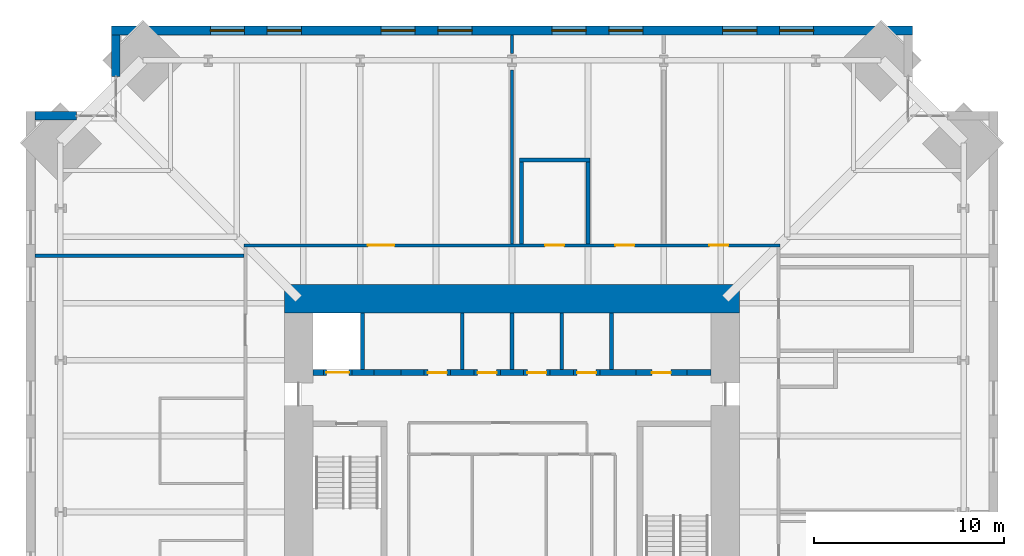
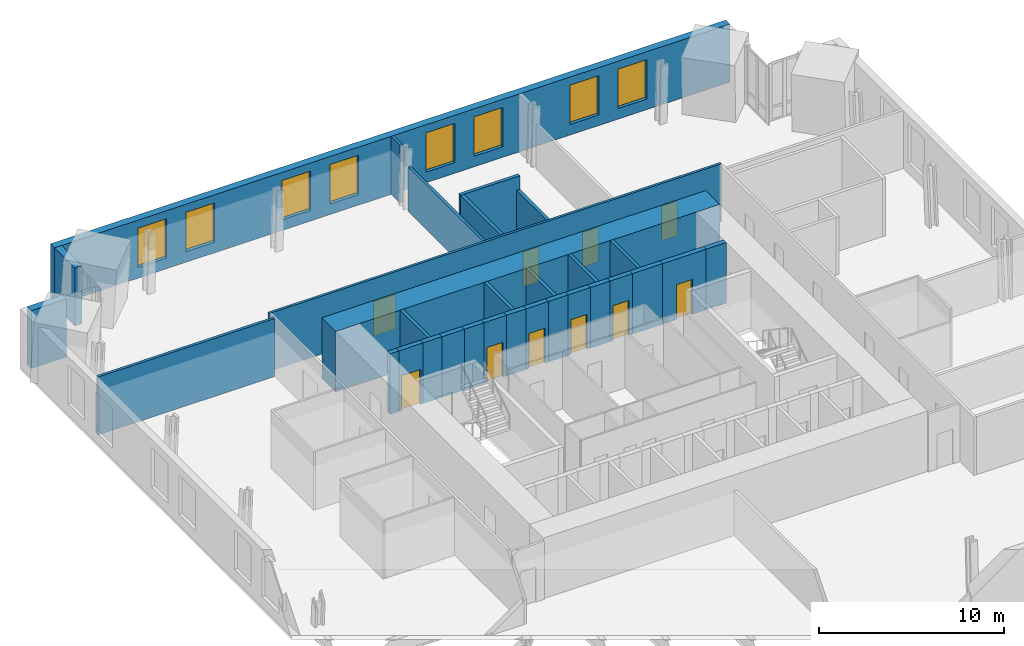
# One storey, part 16 of 18: 31 walls, 10 doors, 8 windows, 18 openings.
"""IFC4 building model written with IfcOpenShell, lengths in metres."""

from ifc_helpers import new_model, si_unit, direction, frame, frame_2d, origin, place, context, subcontext, project, spatial, rectangle, extrude, material, layer, layer_set, type_object, element, fill, save


model = new_model("IFC4")

# Units and contexts
model_context = context("Model", 3, precision=1e-05, world=origin(), true_north=direction((0.0, 1.0)))
body_context = subcontext(model_context, "Body", "Model", "MODEL_VIEW")
ifc_project = project(units=[si_unit("LENGTHUNIT", "METRE"), si_unit("AREAUNIT", "SQUARE_METRE"), si_unit("VOLUMEUNIT", "CUBIC_METRE"), si_unit("PLANEANGLEUNIT", "RADIAN"), si_unit("MASSUNIT", "GRAM", prefix="KILO")], contexts=[model_context])

# Site, building, storey
site_placement = place(None, origin())
site = spatial("IfcSite", under=ifc_project, at=site_placement, CompositionType="ELEMENT")
building_placement = place(site_placement, origin())
building = spatial("IfcBuilding", under=site, at=building_placement, Name="Peilmerk Tower", CompositionType="ELEMENT")
storey_placement = place(building_placement, frame((0.0, 0.0, 175.800048828125)))
storey = spatial("IfcBuildingStorey", under=building, at=storey_placement, Name="L37", CompositionType="ELEMENT", Elevation=175.800048828125)

# Wall, openings, windows
ifc_material_1 = material(Name="Precast concrete C45/55, board-marked finish", Category="concrete")
ifc_layer_1 = layer(ifc_material_1, 0.449951171875)
ifc_layer_set_1 = layer_set([ifc_layer_1], Name="Precast concrete C45/55, board-marked finish")
wall_type_1 = type_object("IfcWallType", Name="EW1 450 precast concrete facade wall, board-marked", PredefinedType="SOLIDWALL", material=ifc_layer_set_1)
wall_1_placement = place(storey_placement, frame((21.10009765625, 25.375, 0.0), z_axis=(0.0, 0.0, 1.0), x_axis=(-1.0, 0.0, 0.0)))
wall_1 = element("IfcWall", 1, at=wall_1_placement, inside=storey, type_object=wall_type_1, Name="Facade wall N L37", PredefinedType="SOLIDWALL", context=body_context, shape_type="SweptSolid", body=[
    extrude(rectangle(XDim=42.2001953125, YDim=0.449951171875, at=frame_2d((21.10009765625, 0.0))), origin(), (0.0, 0.0, 1.0), 3.829833984375),
])
opening_1_placement = place(wall_1_placement, frame((5.199951171875, 0.0, 0.699951171875)))
opening_1 = element("IfcOpeningElement", 2, at=opening_1_placement, cuts=wall_1, Name="Opening W1", PredefinedType="OPENING", context=body_context, shape_type="SweptSolid", body=[
    extrude(rectangle(XDim=1.800048828125, YDim=2.60009765625, at=frame_2d((0.89990234375, 1.300048828125))), frame((0.0, 0.23486328125, 0.0), z_axis=(0.0, -1.0, 0.0), x_axis=(1.0, 0.0, 0.0)), (0.0, 0.0, 1.0), 0.469970703125),
])
opening_2_placement = place(wall_1_placement, frame((8.199951171875, 0.0, 0.699951171875)))
opening_2 = element("IfcOpeningElement", 3, at=opening_2_placement, cuts=wall_1, Name="Opening W1", PredefinedType="OPENING", context=body_context, shape_type="SweptSolid", body=[
    extrude(rectangle(XDim=1.800048828125, YDim=2.60009765625, at=frame_2d((0.89990234375, 1.300048828125))), frame((0.0, 0.23486328125, 0.0), z_axis=(0.0, -1.0, 0.0), x_axis=(1.0, 0.0, 0.0)), (0.0, 0.0, 1.0), 0.469970703125),
])
opening_3_placement = place(wall_1_placement, frame((14.199951171875, 0.0, 0.699951171875)))
opening_3 = element("IfcOpeningElement", 4, at=opening_3_placement, cuts=wall_1, Name="Opening W1", PredefinedType="OPENING", context=body_context, shape_type="SweptSolid", body=[
    extrude(rectangle(XDim=1.800048828125, YDim=2.60009765625, at=frame_2d((0.89990234375, 1.300048828125))), frame((0.0, 0.23486328125, 0.0), z_axis=(0.0, -1.0, 0.0), x_axis=(1.0, 0.0, 0.0)), (0.0, 0.0, 1.0), 0.469970703125),
])
opening_4_placement = place(wall_1_placement, frame((17.199951171875, 0.0, 0.699951171875)))
opening_4 = element("IfcOpeningElement", 5, at=opening_4_placement, cuts=wall_1, Name="Opening W1", PredefinedType="OPENING", context=body_context, shape_type="SweptSolid", body=[
    extrude(rectangle(XDim=1.800048828125, YDim=2.60009765625, at=frame_2d((0.89990234375, 1.300048828125))), frame((0.0, 0.23486328125, 0.0), z_axis=(0.0, -1.0, 0.0), x_axis=(1.0, 0.0, 0.0)), (0.0, 0.0, 1.0), 0.469970703125),
])
opening_5_placement = place(wall_1_placement, frame((23.199951171875, 0.0, 0.699951171875)))
opening_5 = element("IfcOpeningElement", 6, at=opening_5_placement, cuts=wall_1, Name="Opening W1", PredefinedType="OPENING", context=body_context, shape_type="SweptSolid", body=[
    extrude(rectangle(XDim=1.800048828125, YDim=2.60009765625, at=frame_2d((0.89990234375, 1.300048828125))), frame((0.0, 0.23486328125, 0.0), z_axis=(0.0, -1.0, 0.0), x_axis=(1.0, 0.0, 0.0)), (0.0, 0.0, 1.0), 0.469970703125),
])
opening_6_placement = place(wall_1_placement, frame((26.199951171875, 0.0, 0.699951171875)))
opening_6 = element("IfcOpeningElement", 7, at=opening_6_placement, cuts=wall_1, Name="Opening W1", PredefinedType="OPENING", context=body_context, shape_type="SweptSolid", body=[
    extrude(rectangle(XDim=1.800048828125, YDim=2.60009765625, at=frame_2d((0.89990234375, 1.300048828125))), frame((0.0, 0.23486328125, 0.0), z_axis=(0.0, -1.0, 0.0), x_axis=(1.0, 0.0, 0.0)), (0.0, 0.0, 1.0), 0.469970703125),
])
opening_7_placement = place(wall_1_placement, frame((32.199951171875, 0.0, 0.699951171875)))
opening_7 = element("IfcOpeningElement", 8, at=opening_7_placement, cuts=wall_1, Name="Opening W1", PredefinedType="OPENING", context=body_context, shape_type="SweptSolid", body=[
    extrude(rectangle(XDim=1.800048828125, YDim=2.60009765625, at=frame_2d((0.89990234375, 1.300048828125))), frame((0.0, 0.23486328125, 0.0), z_axis=(0.0, -1.0, 0.0), x_axis=(1.0, 0.0, 0.0)), (0.0, 0.0, 1.0), 0.469970703125),
])
opening_8_placement = place(wall_1_placement, frame((35.199951171875, 0.0, 0.699951171875)))
opening_8 = element("IfcOpeningElement", 9, at=opening_8_placement, cuts=wall_1, Name="Opening W1", PredefinedType="OPENING", context=body_context, shape_type="SweptSolid", body=[
    extrude(rectangle(XDim=1.800048828125, YDim=2.60009765625, at=frame_2d((0.89990234375, 1.300048828125))), frame((0.0, 0.23486328125, 0.0), z_axis=(0.0, -1.0, 0.0), x_axis=(1.0, 0.0, 0.0)), (0.0, 0.0, 1.0), 0.469970703125),
])
ifc_material_2 = material(Name="Aluminium frame, clear double glazing", Category="aluminium")
window_type = type_object("IfcWindowType", Name="W1 1800x2600 office window", PartitioningType="SINGLE_PANEL", PredefinedType="WINDOW", material=ifc_material_2)
window_1_placement = place(opening_1_placement, origin())
window_1 = element("IfcWindow", 10, at=window_1_placement, inside=storey, type_object=window_type, Name="Window W1 L37", OverallHeight=2.60009765625, OverallWidth=1.800048828125, PartitioningType="SINGLE_PANEL", PredefinedType="WINDOW", context=body_context, shape_type="SweptSolid", body=[
    extrude(rectangle(XDim=1.800048828125, YDim=2.60009765625, at=frame_2d((0.89990234375, 1.300048828125))), frame((0.0, 0.030029296875, 0.0), z_axis=(0.0, -1.0, 0.0), x_axis=(1.0, 0.0, 0.0)), (0.0, 0.0, 1.0), 0.06005859375),
])
fill(opening_1, window_1)
window_2_placement = place(opening_2_placement, origin())
window_2 = element("IfcWindow", 11, at=window_2_placement, inside=storey, type_object=window_type, Name="Window W1 L37", OverallHeight=2.60009765625, OverallWidth=1.800048828125, PartitioningType="SINGLE_PANEL", PredefinedType="WINDOW", context=body_context, shape_type="SweptSolid", body=[
    extrude(rectangle(XDim=1.800048828125, YDim=2.60009765625, at=frame_2d((0.89990234375, 1.300048828125))), frame((0.0, 0.030029296875, 0.0), z_axis=(0.0, -1.0, 0.0), x_axis=(1.0, 0.0, 0.0)), (0.0, 0.0, 1.0), 0.06005859375),
])
fill(opening_2, window_2)
window_3_placement = place(opening_3_placement, origin())
window_3 = element("IfcWindow", 12, at=window_3_placement, inside=storey, type_object=window_type, Name="Window W1 L37", OverallHeight=2.60009765625, OverallWidth=1.800048828125, PartitioningType="SINGLE_PANEL", PredefinedType="WINDOW", context=body_context, shape_type="SweptSolid", body=[
    extrude(rectangle(XDim=1.800048828125, YDim=2.60009765625, at=frame_2d((0.89990234375, 1.300048828125))), frame((0.0, 0.030029296875, 0.0), z_axis=(0.0, -1.0, 0.0), x_axis=(1.0, 0.0, 0.0)), (0.0, 0.0, 1.0), 0.06005859375),
])
fill(opening_3, window_3)
window_4_placement = place(opening_4_placement, origin())
window_4 = element("IfcWindow", 13, at=window_4_placement, inside=storey, type_object=window_type, Name="Window W1 L37", OverallHeight=2.60009765625, OverallWidth=1.800048828125, PartitioningType="SINGLE_PANEL", PredefinedType="WINDOW", context=body_context, shape_type="SweptSolid", body=[
    extrude(rectangle(XDim=1.800048828125, YDim=2.60009765625, at=frame_2d((0.89990234375, 1.300048828125))), frame((0.0, 0.030029296875, 0.0), z_axis=(0.0, -1.0, 0.0), x_axis=(1.0, 0.0, 0.0)), (0.0, 0.0, 1.0), 0.06005859375),
])
fill(opening_4, window_4)
window_5_placement = place(opening_5_placement, origin())
window_5 = element("IfcWindow", 14, at=window_5_placement, inside=storey, type_object=window_type, Name="Window W1 L37", OverallHeight=2.60009765625, OverallWidth=1.800048828125, PartitioningType="SINGLE_PANEL", PredefinedType="WINDOW", context=body_context, shape_type="SweptSolid", body=[
    extrude(rectangle(XDim=1.800048828125, YDim=2.60009765625, at=frame_2d((0.89990234375, 1.300048828125))), frame((0.0, 0.030029296875, 0.0), z_axis=(0.0, -1.0, 0.0), x_axis=(1.0, 0.0, 0.0)), (0.0, 0.0, 1.0), 0.06005859375),
])
fill(opening_5, window_5)
window_6_placement = place(opening_6_placement, origin())
window_6 = element("IfcWindow", 15, at=window_6_placement, inside=storey, type_object=window_type, Name="Window W1 L37", OverallHeight=2.60009765625, OverallWidth=1.800048828125, PartitioningType="SINGLE_PANEL", PredefinedType="WINDOW", context=body_context, shape_type="SweptSolid", body=[
    extrude(rectangle(XDim=1.800048828125, YDim=2.60009765625, at=frame_2d((0.89990234375, 1.300048828125))), frame((0.0, 0.030029296875, 0.0), z_axis=(0.0, -1.0, 0.0), x_axis=(1.0, 0.0, 0.0)), (0.0, 0.0, 1.0), 0.06005859375),
])
fill(opening_6, window_6)
window_7_placement = place(opening_7_placement, origin())
window_7 = element("IfcWindow", 16, at=window_7_placement, inside=storey, type_object=window_type, Name="Window W1 L37", OverallHeight=2.60009765625, OverallWidth=1.800048828125, PartitioningType="SINGLE_PANEL", PredefinedType="WINDOW", context=body_context, shape_type="SweptSolid", body=[
    extrude(rectangle(XDim=1.800048828125, YDim=2.60009765625, at=frame_2d((0.89990234375, 1.300048828125))), frame((0.0, 0.030029296875, 0.0), z_axis=(0.0, -1.0, 0.0), x_axis=(1.0, 0.0, 0.0)), (0.0, 0.0, 1.0), 0.06005859375),
])
fill(opening_7, window_7)
window_8_placement = place(opening_8_placement, origin())
window_8 = element("IfcWindow", 17, at=window_8_placement, inside=storey, type_object=window_type, Name="Window W1 L37", OverallHeight=2.60009765625, OverallWidth=1.800048828125, PartitioningType="SINGLE_PANEL", PredefinedType="WINDOW", context=body_context, shape_type="SweptSolid", body=[
    extrude(rectangle(XDim=1.800048828125, YDim=2.60009765625, at=frame_2d((0.89990234375, 1.300048828125))), frame((0.0, 0.030029296875, 0.0), z_axis=(0.0, -1.0, 0.0), x_axis=(1.0, 0.0, 0.0)), (0.0, 0.0, 1.0), 0.06005859375),
])
fill(opening_8, window_8)

# Walls
for number, where, z_axis, x_axis, name in (
    (18, (-20.875, 22.95361328125, 0.0), (0.0, 0.0, 1.0), (0.0, 1.0, 0.0), "Facade wall NWA L37"),
    (19, (-22.95361328125, 20.875, 0.0), (0.0, 0.0, 1.0), (-1.0, 0.0, 0.0), "Facade wall NWB L37"),
):
    element("IfcWall", number, at=place(storey_placement, frame(where, z_axis=z_axis, x_axis=x_axis)), inside=storey, type_object=wall_type_1, Name=name, PredefinedType="SOLIDWALL", context=body_context, shape_type="SweptSolid", body=[
        extrude(rectangle(XDim=2.1962890625, YDim=0.449951171875, at=frame_2d((1.09814453125, 0.0))), origin(), (0.0, 0.0, 1.0), 3.829833984375),
    ])

# Wall, openings, doors
ifc_material_3 = material(Name="Calcium silicate block", Category="masonry")
ifc_layer_2 = layer(ifc_material_3, 0.14990234375)
ifc_layer_set_2 = layer_set([ifc_layer_2], Name="Calcium silicate block")
wall_type_2 = type_object("IfcWallType", Name="IW1 150 corridor partition, EI 60", PredefinedType="PARTITIONING", material=ifc_layer_set_2)
wall_2_placement = place(storey_placement, frame((-14.125, 14.050048828125, 0.0), z_axis=(0.0, 0.0, 1.0), x_axis=(1.0, 0.0, 0.0)))
wall_2 = element("IfcWall", 20, at=wall_2_placement, inside=storey, type_object=wall_type_2, Name="Corridor wall N L37", PredefinedType="PARTITIONING", context=body_context, shape_type="SweptSolid", body=[
    extrude(rectangle(XDim=28.25, YDim=0.14990234375, at=frame_2d((14.125, 0.0))), origin(), (0.0, 0.0, 1.0), 3.829833984375),
])
opening_9_placement = place(wall_2_placement, frame((6.52490234375, 0.0, 0.0)))
opening_9 = element("IfcOpeningElement", 21, at=opening_9_placement, cuts=wall_2, Name="Opening D8", PredefinedType="OPENING", context=body_context, shape_type="SweptSolid", body=[
    extrude(rectangle(XDim=1.39990234375, YDim=2.300048828125, at=frame_2d((0.699951171875, 1.14990234375))), frame((0.0, 0.0849609375, 0.0), z_axis=(0.0, -1.0, 0.0), x_axis=(1.0, 0.0, 0.0)), (0.0, 0.0, 1.0), 0.169921875),
])
opening_10_placement = place(wall_2_placement, frame((19.574951171875, 0.0, 0.0)))
opening_10 = element("IfcOpeningElement", 22, at=opening_10_placement, cuts=wall_2, Name="Opening D1", PredefinedType="OPENING", context=body_context, shape_type="SweptSolid", body=[
    extrude(rectangle(XDim=1.0, YDim=2.300048828125, at=frame_2d((0.5, 1.14990234375))), frame((0.0, 0.0849609375, 0.0), z_axis=(0.0, -1.0, 0.0), x_axis=(1.0, 0.0, 0.0)), (0.0, 0.0, 1.0), 0.169921875),
])
opening_11_placement = place(wall_2_placement, frame((24.52490234375, 0.0, 0.0)))
opening_11 = element("IfcOpeningElement", 23, at=opening_11_placement, cuts=wall_2, Name="Opening D1", PredefinedType="OPENING", context=body_context, shape_type="SweptSolid", body=[
    extrude(rectangle(XDim=1.0, YDim=2.300048828125, at=frame_2d((0.5, 1.14990234375))), frame((0.0, 0.0849609375, 0.0), z_axis=(0.0, -1.0, 0.0), x_axis=(1.0, 0.0, 0.0)), (0.0, 0.0, 1.0), 0.169921875),
])
opening_12_placement = place(wall_2_placement, frame((15.875, 0.0, 0.0)))
opening_12 = element("IfcOpeningElement", 24, at=opening_12_placement, cuts=wall_2, Name="Opening D1", PredefinedType="OPENING", context=body_context, shape_type="SweptSolid", body=[
    extrude(rectangle(XDim=1.0, YDim=2.300048828125, at=frame_2d((0.5, 1.14990234375))), frame((0.0, 0.0849609375, 0.0), z_axis=(0.0, -1.0, 0.0), x_axis=(1.0, 0.0, 0.0)), (0.0, 0.0, 1.0), 0.169921875),
])
ifc_material_4 = material(Name="Timber door in steel frame", Category="steel")
door_type_1 = type_object("IfcDoorType", Name="D1 1000x2300 room door, EI2 30", OperationType="SINGLE_SWING_LEFT", PredefinedType="DOOR", material=ifc_material_4)
door_1_placement = place(opening_10_placement, origin())
door_1 = element("IfcDoor", 25, at=door_1_placement, inside=storey, type_object=door_type_1, Name="Door Changing room L37", OperationType="SINGLE_SWING_LEFT", OverallHeight=2.300048828125, OverallWidth=1.0, PredefinedType="DOOR", context=body_context, shape_type="SweptSolid", body=[
    extrude(rectangle(XDim=1.0, YDim=2.300048828125, at=frame_2d((0.5, 1.14990234375))), frame((0.0, 0.02490234375, 0.0), z_axis=(0.0, -1.0, 0.0), x_axis=(1.0, 0.0, 0.0)), (0.0, 0.0, 1.0), 0.050048828125),
])
fill(opening_10, door_1)
door_2_placement = place(opening_11_placement, origin())
door_2 = element("IfcDoor", 26, at=door_2_placement, inside=storey, type_object=door_type_1, Name="Door Exercise studio L37", OperationType="SINGLE_SWING_LEFT", OverallHeight=2.300048828125, OverallWidth=1.0, PredefinedType="DOOR", context=body_context, shape_type="SweptSolid", body=[
    extrude(rectangle(XDim=1.0, YDim=2.300048828125, at=frame_2d((0.5, 1.14990234375))), frame((0.0, 0.02490234375, 0.0), z_axis=(0.0, -1.0, 0.0), x_axis=(1.0, 0.0, 0.0)), (0.0, 0.0, 1.0), 0.050048828125),
])
fill(opening_11, door_2)
door_3_placement = place(opening_12_placement, origin())
door_3 = element("IfcDoor", 27, at=door_3_placement, inside=storey, type_object=door_type_1, Name="Door Locker room L37", OperationType="SINGLE_SWING_LEFT", OverallHeight=2.300048828125, OverallWidth=1.0, PredefinedType="DOOR", context=body_context, shape_type="SweptSolid", body=[
    extrude(rectangle(XDim=1.0, YDim=2.300048828125, at=frame_2d((0.5, 1.14990234375))), frame((0.0, 0.02490234375, 0.0), z_axis=(0.0, -1.0, 0.0), x_axis=(1.0, 0.0, 0.0)), (0.0, 0.0, 1.0), 0.050048828125),
])
fill(opening_12, door_3)
door_type_2 = type_object("IfcDoorType", Name="D8 1400x2300 leaf-and-a-half door, EI2 30", OperationType="DOUBLE_DOOR_SINGLE_SWING", PredefinedType="DOOR", material=ifc_material_4)
door_4_placement = place(opening_9_placement, origin())
door_4 = element("IfcDoor", 28, at=door_4_placement, inside=storey, type_object=door_type_2, Name="Door Fitness room L37", OperationType="DOUBLE_DOOR_SINGLE_SWING", OverallHeight=2.300048828125, OverallWidth=1.39990234375, PredefinedType="DOOR", context=body_context, shape_type="SweptSolid", body=[
    extrude(rectangle(XDim=1.39990234375, YDim=2.300048828125, at=frame_2d((0.699951171875, 1.14990234375))), frame((0.0, 0.02490234375, 0.0), z_axis=(0.0, -1.0, 0.0), x_axis=(1.0, 0.0, 0.0)), (0.0, 0.0, 1.0), 0.050048828125),
])
fill(opening_9, door_4)

# Walls
ifc_layer_3 = layer(ifc_material_3, 0.199951171875)
ifc_layer_set_3 = layer_set([ifc_layer_3], Name="Calcium silicate block")
wall_type_3 = type_object("IfcWallType", Name="IW2 200 room separating wall, EI 120", PredefinedType="PARTITIONING", material=ifc_layer_set_3)
wall_3_placement = place(storey_placement, frame((0.39990234375, 18.550048828125, 0.0), z_axis=(0.0, 0.0, 1.0), x_axis=(1.0, 0.0, 0.0)))
element("IfcWall", 29, at=wall_3_placement, inside=storey, type_object=wall_type_3, Name="Room separating wall Locker room L37", PredefinedType="PARTITIONING", context=body_context, shape_type="SweptSolid", body=[
    extrude(rectangle(XDim=3.7001953125, YDim=0.199951171875, at=frame_2d((1.85009765625, 0.0))), origin(), (0.0, 0.0, 1.0), 3.829833984375),
])
wall_4_placement = place(storey_placement, frame((0.5, 14.125, 0.0), z_axis=(0.0, 0.0, 1.0), x_axis=(0.0, 1.0, 0.0)))
element("IfcWall", 30, at=wall_4_placement, inside=storey, type_object=wall_type_3, Name="Room separating wall Locker room L37", PredefinedType="PARTITIONING", context=body_context, shape_type="SweptSolid", body=[
    extrude(rectangle(XDim=4.324951171875, YDim=0.199951171875, at=frame_2d((2.16259765625, 0.0))), origin(), (0.0, 0.0, 1.0), 3.829833984375),
])
wall_5_placement = place(storey_placement, frame((4.0, 14.125, 0.0), z_axis=(0.0, 0.0, 1.0), x_axis=(0.0, 1.0, 0.0)))
element("IfcWall", 31, at=wall_5_placement, inside=storey, type_object=wall_type_3, Name="Room separating wall Locker room L37", PredefinedType="PARTITIONING", context=body_context, shape_type="SweptSolid", body=[
    extrude(rectangle(XDim=4.324951171875, YDim=0.199951171875, at=frame_2d((2.16259765625, 0.0))), origin(), (0.0, 0.0, 1.0), 2.93994140625),
])
ifc_layer_4 = layer(ifc_material_3, 0.175048828125)
ifc_layer_set_4 = layer_set([ifc_layer_4], Name="Calcium silicate block")
wall_type_4 = type_object("IfcWallType", Name="IW8 175 tenant separating wall, EI 60", PredefinedType="PARTITIONING", material=ifc_layer_set_4)
wall_6_placement = place(storey_placement, frame((-25.14990234375, 13.5, 0.0), z_axis=(0.0, 0.0, 1.0), x_axis=(1.0, 0.0, 0.0)))
element("IfcWall", 32, at=wall_6_placement, inside=storey, type_object=wall_type_4, Name="Tenant separating wall NW L37", PredefinedType="PARTITIONING", context=body_context, shape_type="SweptSolid", body=[
    extrude(rectangle(XDim=11.02490234375, YDim=0.175048828125, at=frame_2d((5.512451171875, 0.0))), origin(), (0.0, 0.0, 1.0), 3.829833984375),
])
wall_7_placement = place(storey_placement, frame((0.0, 14.125, 0.0), z_axis=(0.0, 0.0, 1.0), x_axis=(0.0, 1.0, 0.0)))
element("IfcWall", 33, at=wall_7_placement, inside=storey, type_object=wall_type_4, Name="Tenant separating wall N1 L37", PredefinedType="PARTITIONING", context=body_context, shape_type="SweptSolid", body=[
    extrude(rectangle(XDim=9.15771484375, YDim=0.175048828125, at=frame_2d((4.578857421875, 0.0))), origin(), (0.0, 0.0, 1.0), 2.93994140625),
])
wall_8_placement = place(storey_placement, frame((0.0, 24.172119140625, 0.0), z_axis=(0.0, 0.0, 1.0), x_axis=(0.0, 1.0, 0.0)))
element("IfcWall", 34, at=wall_8_placement, inside=storey, type_object=wall_type_4, Name="Tenant separating wall N1b L37", PredefinedType="PARTITIONING", context=body_context, shape_type="SweptSolid", body=[
    extrude(rectangle(XDim=0.977783203125, YDim=0.175048828125, at=frame_2d((0.48876953125, 0.0))), origin(), (0.0, 0.0, 1.0), 3.829833984375),
])
ifc_layer_5 = layer(ifc_material_3, 0.199951171875)
ifc_layer_set_5 = layer_set([ifc_layer_5], Name="Calcium silicate block")
wall_type_5 = type_object("IfcWallType", Name="SH1 200 shaft dividing wall, EI 120", PredefinedType="PARTITIONING", material=ifc_layer_set_5)
for number, where, z_axis, x_axis, name in (
    (35, (-7.875, 7.5, 0.0), (0.0, 0.0, 1.0), (0.0, 1.0, 0.0), "Shaft wall N FL1 L37"),
    (36, (-2.625, 7.5, 0.0), (0.0, 0.0, 1.0), (0.0, 1.0, 0.0), "Shaft wall N A2 L37"),
    (37, (0.0, 7.5, 0.0), (0.0, 0.0, 1.0), (0.0, 1.0, 0.0), "Shaft wall N A3 L37"),
    (38, (2.625, 7.5, 0.0), (0.0, 0.0, 1.0), (0.0, 1.0, 0.0), "Shaft wall N S1 L37"),
    (39, (5.25, 7.5, 0.0), (0.0, 0.0, 1.0), (0.0, 1.0, 0.0), "Shaft wall N S2 L37"),
):
    element("IfcWall", number, at=place(storey_placement, frame(where, z_axis=z_axis, x_axis=x_axis)), inside=storey, type_object=wall_type_5, Name=name, PredefinedType="PARTITIONING", context=body_context, shape_type="SweptSolid", body=[
        extrude(rectangle(XDim=3.0, YDim=0.199951171875, at=frame_2d((1.5, 0.0))), origin(), (0.0, 0.0, 1.0), 4.0),
    ])

# Wall, opening, door
ifc_layer_6 = layer(ifc_material_3, 0.300048828125)
ifc_layer_set_6 = layer_set([ifc_layer_6], Name="Calcium silicate block")
wall_type_6 = type_object("IfcWallType", Name="SH2 300 lift landing door panel, EI 120", PredefinedType="PARTITIONING", material=ifc_layer_set_6)
wall_9_placement = place(storey_placement, frame((-9.9375, 7.35009765625, 0.0), z_axis=(0.0, 0.0, 1.0), x_axis=(1.0, 0.0, 0.0)))
wall_9 = element("IfcWall", 40, at=wall_9_placement, inside=storey, type_object=wall_type_6, Name="Lift door panel N FL1 L37", PredefinedType="PARTITIONING", context=body_context, shape_type="SweptSolid", body=[
    extrude(rectangle(XDim=1.5, YDim=0.300048828125, at=frame_2d((0.75, 0.0))), origin(), (0.0, 0.0, 1.0), 4.0),
])
opening_13_placement = place(wall_9_placement, frame((0.14990234375, 0.0, 0.0)))
opening_13 = element("IfcOpeningElement", 41, at=opening_13_placement, cuts=wall_9, Name="Opening LD2", PredefinedType="OPENING", context=body_context, shape_type="SweptSolid", body=[
    extrude(rectangle(XDim=1.199951171875, YDim=2.300048828125, at=frame_2d((0.60009765625, 1.14990234375))), frame((0.0, 0.159912109375, 0.0), z_axis=(0.0, -1.0, 0.0), x_axis=(1.0, 0.0, 0.0)), (0.0, 0.0, 1.0), 0.320068359375),
])
ifc_material_5 = material(Name="Stainless steel landing door", Category="steel")
door_type_3 = type_object("IfcDoorType", Name="LD2 1200x2300 lift landing door, sliding, EI2 60", OperationType="SLIDING_TO_LEFT", PredefinedType="DOOR", material=ifc_material_5)
door_5_placement = place(opening_13_placement, frame((1.199951171875, 0.0, 0.0), z_axis=(0.0, 0.0, 1.0), x_axis=(-1.0, 0.0, 0.0)))
door_5 = element("IfcDoor", 42, at=door_5_placement, inside=storey, type_object=door_type_3, Name="Lift landing door FL1 L37", OperationType="SLIDING_TO_LEFT", OverallHeight=2.300048828125, OverallWidth=1.199951171875, PredefinedType="DOOR", context=body_context, shape_type="SweptSolid", body=[
    extrude(rectangle(XDim=1.199951171875, YDim=2.300048828125, at=frame_2d((0.60009765625, 1.14990234375))), frame((0.0, 0.02490234375, 0.0), z_axis=(0.0, -1.0, 0.0), x_axis=(1.0, 0.0, 0.0)), (0.0, 0.0, 1.0), 0.050048828125),
])
fill(opening_13, door_5)

# Wall
wall_10_placement = place(storey_placement, frame((-7.262451171875, 7.35009765625, 0.0), z_axis=(0.0, 0.0, 1.0), x_axis=(1.0, 0.0, 0.0)))
element("IfcWall", 43, at=wall_10_placement, inside=storey, type_object=wall_type_6, Name="Lift door panel N A1 L37", PredefinedType="PARTITIONING", context=body_context, shape_type="SweptSolid", body=[
    extrude(rectangle(XDim=1.39990234375, YDim=0.300048828125, at=frame_2d((0.699951171875, 0.0))), origin(), (0.0, 0.0, 1.0), 4.0),
])

# Wall, opening, door
wall_11_placement = place(storey_placement, frame((-4.637451171875, 7.35009765625, 0.0), z_axis=(0.0, 0.0, 1.0), x_axis=(1.0, 0.0, 0.0)))
wall_11 = element("IfcWall", 44, at=wall_11_placement, inside=storey, type_object=wall_type_6, Name="Lift door panel N A2 L37", PredefinedType="PARTITIONING", context=body_context, shape_type="SweptSolid", body=[
    extrude(rectangle(XDim=1.39990234375, YDim=0.300048828125, at=frame_2d((0.699951171875, 0.0))), origin(), (0.0, 0.0, 1.0), 4.0),
])
opening_14_placement = place(wall_11_placement, frame((0.199951171875, 0.0, 0.0)))
opening_14 = element("IfcOpeningElement", 45, at=opening_14_placement, cuts=wall_11, Name="Opening D10", PredefinedType="OPENING", context=body_context, shape_type="SweptSolid", body=[
    extrude(rectangle(XDim=1.0, YDim=2.300048828125, at=frame_2d((0.5, 1.14990234375))), frame((0.0, 0.159912109375, 0.0), z_axis=(0.0, -1.0, 0.0), x_axis=(1.0, 0.0, 0.0)), (0.0, 0.0, 1.0), 0.320068359375),
])
ifc_material_6 = material(Name="Steel door in steel frame", Category="steel")
door_type_4 = type_object("IfcDoorType", Name="D10 1000x2300 core room door, EI2 60", OperationType="SINGLE_SWING_RIGHT", PredefinedType="DOOR", material=ifc_material_6)
door_6_placement = place(opening_14_placement, origin())
door_6 = element("IfcDoor", 46, at=door_6_placement, inside=storey, type_object=door_type_4, Name="Door Waste room L37", OperationType="SINGLE_SWING_RIGHT", OverallHeight=2.300048828125, OverallWidth=1.0, PredefinedType="DOOR", context=body_context, shape_type="SweptSolid", body=[
    extrude(rectangle(XDim=1.0, YDim=2.300048828125, at=frame_2d((0.5, 1.14990234375))), frame((0.0, 0.02490234375, 0.0), z_axis=(0.0, -1.0, 0.0), x_axis=(1.0, 0.0, 0.0)), (0.0, 0.0, 1.0), 0.050048828125),
])
fill(opening_14, door_6)

wall_12_placement = place(storey_placement, frame((-2.012451171875, 7.35009765625, 0.0), z_axis=(0.0, 0.0, 1.0), x_axis=(1.0, 0.0, 0.0)))
wall_12 = element("IfcWall", 47, at=wall_12_placement, inside=storey, type_object=wall_type_6, Name="Lift door panel N A3 L37", PredefinedType="PARTITIONING", context=body_context, shape_type="SweptSolid", body=[
    extrude(rectangle(XDim=1.39990234375, YDim=0.300048828125, at=frame_2d((0.699951171875, 0.0))), origin(), (0.0, 0.0, 1.0), 4.0),
])
opening_15_placement = place(wall_12_placement, frame((0.199951171875, 0.0, 0.0)))
opening_15 = element("IfcOpeningElement", 48, at=opening_15_placement, cuts=wall_12, Name="Opening D10", PredefinedType="OPENING", context=body_context, shape_type="SweptSolid", body=[
    extrude(rectangle(XDim=1.0, YDim=2.300048828125, at=frame_2d((0.5, 1.14990234375))), frame((0.0, 0.159912109375, 0.0), z_axis=(0.0, -1.0, 0.0), x_axis=(1.0, 0.0, 0.0)), (0.0, 0.0, 1.0), 0.320068359375),
])
door_7_placement = place(opening_15_placement, origin())
door_7 = element("IfcDoor", 49, at=door_7_placement, inside=storey, type_object=door_type_4, Name="Door Electrical room L37", OperationType="SINGLE_SWING_RIGHT", OverallHeight=2.300048828125, OverallWidth=1.0, PredefinedType="DOOR", context=body_context, shape_type="SweptSolid", body=[
    extrude(rectangle(XDim=1.0, YDim=2.300048828125, at=frame_2d((0.5, 1.14990234375))), frame((0.0, 0.02490234375, 0.0), z_axis=(0.0, -1.0, 0.0), x_axis=(1.0, 0.0, 0.0)), (0.0, 0.0, 1.0), 0.050048828125),
])
fill(opening_15, door_7)

wall_13_placement = place(storey_placement, frame((0.612548828125, 7.35009765625, 0.0), z_axis=(0.0, 0.0, 1.0), x_axis=(1.0, 0.0, 0.0)))
wall_13 = element("IfcWall", 50, at=wall_13_placement, inside=storey, type_object=wall_type_6, Name="Lift door panel N S1 L37", PredefinedType="PARTITIONING", context=body_context, shape_type="SweptSolid", body=[
    extrude(rectangle(XDim=1.39990234375, YDim=0.300048828125, at=frame_2d((0.699951171875, 0.0))), origin(), (0.0, 0.0, 1.0), 4.0),
])
opening_16_placement = place(wall_13_placement, frame((0.199951171875, 0.0, 0.0)))
opening_16 = element("IfcOpeningElement", 51, at=opening_16_placement, cuts=wall_13, Name="Opening D10", PredefinedType="OPENING", context=body_context, shape_type="SweptSolid", body=[
    extrude(rectangle(XDim=1.0, YDim=2.300048828125, at=frame_2d((0.5, 1.14990234375))), frame((0.0, 0.159912109375, 0.0), z_axis=(0.0, -1.0, 0.0), x_axis=(1.0, 0.0, 0.0)), (0.0, 0.0, 1.0), 0.320068359375),
])
door_8_placement = place(opening_16_placement, origin())
door_8 = element("IfcDoor", 52, at=door_8_placement, inside=storey, type_object=door_type_4, Name="Door Water meter room L37", OperationType="SINGLE_SWING_RIGHT", OverallHeight=2.300048828125, OverallWidth=1.0, PredefinedType="DOOR", context=body_context, shape_type="SweptSolid", body=[
    extrude(rectangle(XDim=1.0, YDim=2.300048828125, at=frame_2d((0.5, 1.14990234375))), frame((0.0, 0.02490234375, 0.0), z_axis=(0.0, -1.0, 0.0), x_axis=(1.0, 0.0, 0.0)), (0.0, 0.0, 1.0), 0.050048828125),
])
fill(opening_16, door_8)

wall_14_placement = place(storey_placement, frame((3.237548828125, 7.35009765625, 0.0), z_axis=(0.0, 0.0, 1.0), x_axis=(1.0, 0.0, 0.0)))
wall_14 = element("IfcWall", 53, at=wall_14_placement, inside=storey, type_object=wall_type_6, Name="Lift door panel N S2 L37", PredefinedType="PARTITIONING", context=body_context, shape_type="SweptSolid", body=[
    extrude(rectangle(XDim=1.39990234375, YDim=0.300048828125, at=frame_2d((0.699951171875, 0.0))), origin(), (0.0, 0.0, 1.0), 4.0),
])
opening_17_placement = place(wall_14_placement, frame((0.199951171875, 0.0, 0.0)))
opening_17 = element("IfcOpeningElement", 54, at=opening_17_placement, cuts=wall_14, Name="Opening D10", PredefinedType="OPENING", context=body_context, shape_type="SweptSolid", body=[
    extrude(rectangle(XDim=1.0, YDim=2.300048828125, at=frame_2d((0.5, 1.14990234375))), frame((0.0, 0.159912109375, 0.0), z_axis=(0.0, -1.0, 0.0), x_axis=(1.0, 0.0, 0.0)), (0.0, 0.0, 1.0), 0.320068359375),
])
door_9_placement = place(opening_17_placement, origin())
door_9 = element("IfcDoor", 55, at=door_9_placement, inside=storey, type_object=door_type_4, Name="Door Staff WC L37", OperationType="SINGLE_SWING_RIGHT", OverallHeight=2.300048828125, OverallWidth=1.0, PredefinedType="DOOR", context=body_context, shape_type="SweptSolid", body=[
    extrude(rectangle(XDim=1.0, YDim=2.300048828125, at=frame_2d((0.5, 1.14990234375))), frame((0.0, 0.02490234375, 0.0), z_axis=(0.0, -1.0, 0.0), x_axis=(1.0, 0.0, 0.0)), (0.0, 0.0, 1.0), 0.050048828125),
])
fill(opening_17, door_9)

wall_15_placement = place(storey_placement, frame((6.52490234375, 7.35009765625, 0.0), z_axis=(0.0, 0.0, 1.0), x_axis=(1.0, 0.0, 0.0)))
wall_15 = element("IfcWall", 56, at=wall_15_placement, inside=storey, type_object=wall_type_6, Name="Lift door panel N GL1 L37", PredefinedType="PARTITIONING", context=body_context, shape_type="SweptSolid", body=[
    extrude(rectangle(XDim=2.7001953125, YDim=0.300048828125, at=frame_2d((1.35009765625, 0.0))), origin(), (0.0, 0.0, 1.0), 4.0),
])
opening_18_placement = place(wall_15_placement, frame((0.85009765625, 0.0, 0.0)))
opening_18 = element("IfcOpeningElement", 57, at=opening_18_placement, cuts=wall_15, Name="Opening D10", PredefinedType="OPENING", context=body_context, shape_type="SweptSolid", body=[
    extrude(rectangle(XDim=1.0, YDim=2.300048828125, at=frame_2d((0.5, 1.14990234375))), frame((0.0, 0.159912109375, 0.0), z_axis=(0.0, -1.0, 0.0), x_axis=(1.0, 0.0, 0.0)), (0.0, 0.0, 1.0), 0.320068359375),
])
door_10_placement = place(opening_18_placement, origin())
door_10 = element("IfcDoor", 58, at=door_10_placement, inside=storey, type_object=door_type_4, Name="Door IT room L37", OperationType="SINGLE_SWING_RIGHT", OverallHeight=2.300048828125, OverallWidth=1.0, PredefinedType="DOOR", context=body_context, shape_type="SweptSolid", body=[
    extrude(rectangle(XDim=1.0, YDim=2.300048828125, at=frame_2d((0.5, 1.14990234375))), frame((0.0, 0.02490234375, 0.0), z_axis=(0.0, -1.0, 0.0), x_axis=(1.0, 0.0, 0.0)), (0.0, 0.0, 1.0), 0.050048828125),
])
fill(opening_18, door_10)

# Walls
ifc_material_7 = material(Name="Concrete C55/67", Category="concrete")
ifc_layer_7 = layer(ifc_material_7, 1.5)
ifc_layer_set_7 = layer_set([ifc_layer_7], Name="Concrete C55/67")
wall_type_7 = type_object("IfcWallType", Name="SW1 1500 core wall", PredefinedType="SHEAR", material=ifc_layer_set_7)
wall_16_placement = place(storey_placement, frame((-12.0, 11.25, 0.0), z_axis=(0.0, 0.0, 1.0), x_axis=(1.0, 0.0, 0.0)))
element("IfcWall", 59, at=wall_16_placement, inside=storey, type_object=wall_type_7, Name="Core wall N L37", PredefinedType="SHEAR", context=body_context, shape_type="SweptSolid", body=[
    extrude(rectangle(XDim=24.0, YDim=1.5, at=frame_2d((12.0, 0.0))), origin(), (0.0, 0.0, 1.0), 4.0),
])
ifc_layer_8 = layer(ifc_material_7, 0.300048828125)
ifc_layer_set_8 = layer_set([ifc_layer_8], Name="Concrete C55/67")
wall_type_8 = type_object("IfcWallType", Name="SW2 300 lift bank pier", PredefinedType="SHEAR", material=ifc_layer_set_8)
wall_17_placement = place(storey_placement, frame((-10.5, 7.35009765625, 0.0), z_axis=(0.0, 0.0, 1.0), x_axis=(1.0, 0.0, 0.0)))
element("IfcWall", 60, at=wall_17_placement, inside=storey, type_object=wall_type_8, Name="Lift bank pier N L37", PredefinedType="SHEAR", context=body_context, shape_type="SweptSolid", body=[
    extrude(rectangle(XDim=0.5625, YDim=0.300048828125, at=frame_2d((0.28125, 0.0))), origin(), (0.0, 0.0, 1.0), 4.0),
])
wall_18_placement = place(storey_placement, frame((-8.4375, 7.35009765625, 0.0), z_axis=(0.0, 0.0, 1.0), x_axis=(1.0, 0.0, 0.0)))
element("IfcWall", 61, at=wall_18_placement, inside=storey, type_object=wall_type_8, Name="Lift bank pier N L37", PredefinedType="SHEAR", context=body_context, shape_type="SweptSolid", body=[
    extrude(rectangle(XDim=1.175048828125, YDim=0.300048828125, at=frame_2d((0.58740234375, 0.0))), origin(), (0.0, 0.0, 1.0), 4.0),
])
for number, where, z_axis, x_axis, name in (
    (62, (-5.862548828125, 7.35009765625, 0.0), (0.0, 0.0, 1.0), (1.0, 0.0, 0.0), "Lift bank pier N L37"),
    (63, (-3.237548828125, 7.35009765625, 0.0), (0.0, 0.0, 1.0), (1.0, 0.0, 0.0), "Lift bank pier N L37"),
    (64, (-0.612548828125, 7.35009765625, 0.0), (0.0, 0.0, 1.0), (1.0, 0.0, 0.0), "Lift bank pier N L37"),
    (65, (2.012451171875, 7.35009765625, 0.0), (0.0, 0.0, 1.0), (1.0, 0.0, 0.0), "Lift bank pier N L37"),
):
    element("IfcWall", number, at=place(storey_placement, frame(where, z_axis=z_axis, x_axis=x_axis)), inside=storey, type_object=wall_type_8, Name=name, PredefinedType="SHEAR", context=body_context, shape_type="SweptSolid", body=[
        extrude(rectangle(XDim=1.22509765625, YDim=0.300048828125, at=frame_2d((0.612548828125, 0.0))), origin(), (0.0, 0.0, 1.0), 4.0),
    ])
wall_19_placement = place(storey_placement, frame((4.637451171875, 7.35009765625, 0.0), z_axis=(0.0, 0.0, 1.0), x_axis=(1.0, 0.0, 0.0)))
element("IfcWall", 66, at=wall_19_placement, inside=storey, type_object=wall_type_8, Name="Lift bank pier N L37", PredefinedType="SHEAR", context=body_context, shape_type="SweptSolid", body=[
    extrude(rectangle(XDim=1.887451171875, YDim=0.300048828125, at=frame_2d((0.94384765625, 0.0))), origin(), (0.0, 0.0, 1.0), 4.0),
])
wall_20_placement = place(storey_placement, frame((9.22509765625, 7.35009765625, 0.0), z_axis=(0.0, 0.0, 1.0), x_axis=(1.0, 0.0, 0.0)))
element("IfcWall", 67, at=wall_20_placement, inside=storey, type_object=wall_type_8, Name="Lift bank pier N L37", PredefinedType="SHEAR", context=body_context, shape_type="SweptSolid", body=[
    extrude(rectangle(XDim=1.27490234375, YDim=0.300048828125, at=frame_2d((0.637451171875, 0.0))), origin(), (0.0, 0.0, 1.0), 4.0),
])

save(model, "model.ifc")
